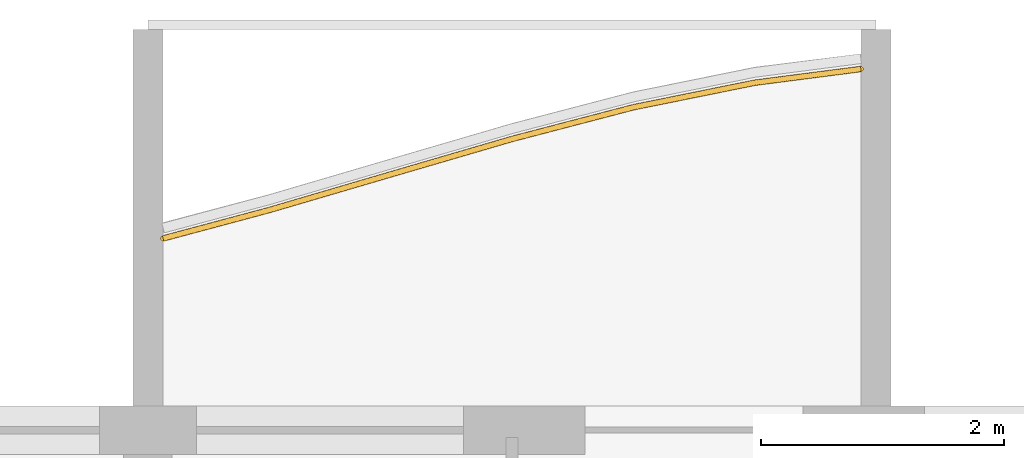
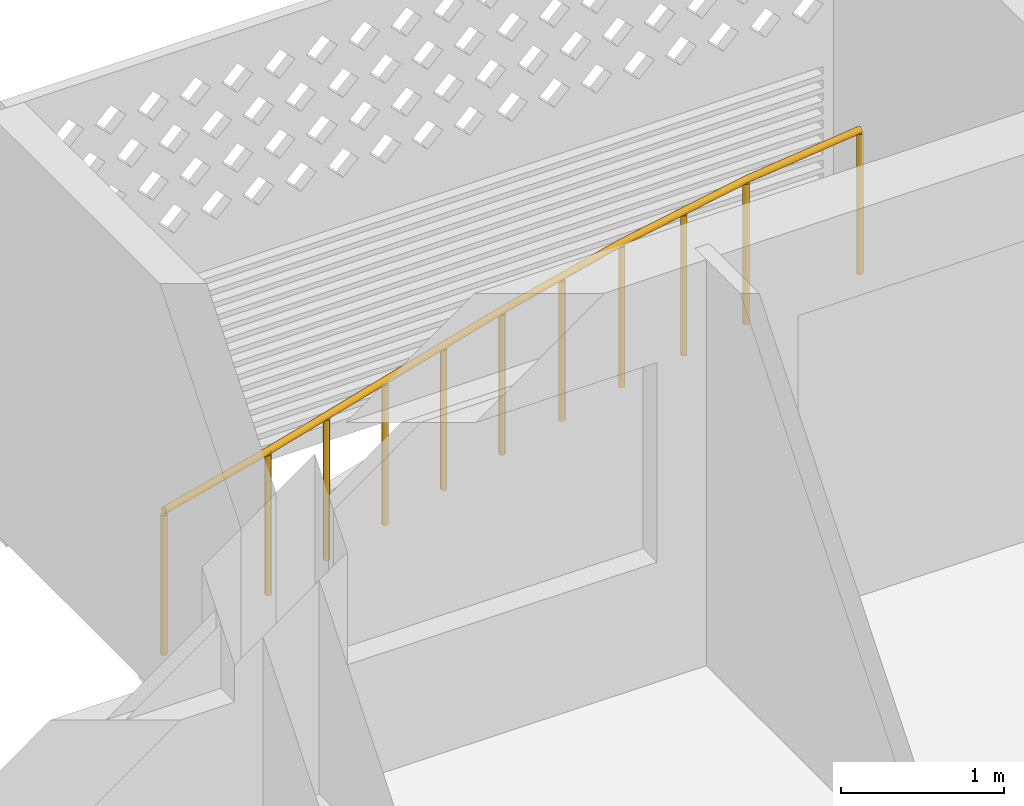
# One storey, part 24 of 38: 1 railing.
"""IFC4 building model written with IfcOpenShell, lengths in metres."""

from ifc_helpers import new_model, si_unit, direction, frame, origin, origin_2d, place, context, subcontext, project, spatial, circle, extrude, material, type_object, element, save


model = new_model("IFC4")

# Units and contexts
model_context = context("Model", 3, precision=1e-05, world=origin(), true_north=direction((0.0, 1.0)))
body_context = subcontext(model_context, "Body", "Model", "MODEL_VIEW")
ifc_project = project(units=[si_unit("LENGTHUNIT", "METRE"), si_unit("AREAUNIT", "SQUARE_METRE"), si_unit("VOLUMEUNIT", "CUBIC_METRE"), si_unit("PLANEANGLEUNIT", "RADIAN"), si_unit("MASSUNIT", "GRAM", prefix="KILO")], contexts=[model_context])

# Site, building, storey
site_placement = place(None, origin())
site = spatial("IfcSite", under=ifc_project, at=site_placement, CompositionType="ELEMENT")
building_placement = place(site_placement, origin())
building = spatial("IfcBuilding", under=site, at=building_placement, Name="Poui Terraces", CompositionType="ELEMENT")
storey_placement = place(building_placement, frame((0.0, 0.0, 46.5)))
storey = spatial("IfcBuildingStorey", under=building, at=storey_placement, Name="L12", CompositionType="ELEMENT", Elevation=46.5)

# Railing
ifc_material = material(Name="Painted steel fretwork", Category="steel")
railing_type = type_object("IfcRailingType", Name="BALCONY GUARD 1100", PredefinedType="GUARDRAIL", material=ifc_material)
railing_placement = place(storey_placement, frame((30.125, 46.3798828125, 0.0)))
element("IfcRailing", 1, at=railing_placement, inside=storey, type_object=railing_type, Name="BALCONY GUARD", PredefinedType="GUARDRAIL", context=body_context, shape_type="SweptSolid", body=[
    extrude(circle(Radius=0.02392578125, at=origin_2d()), frame((0.0, 0.0, 1.076171875), z_axis=(0.966015382601, 0.258484584798, 0.0), x_axis=(-0.258484584798, 0.966015382601, 0.0)), (0.0, 0.0, 1.0), 0.90576171875),
    extrude(circle(Radius=0.02392578125, at=origin_2d()), frame((0.875, 0.234130859375, 1.076171875), z_axis=(0.959536917318, 0.281582855131, 0.0), x_axis=(-0.281582855131, 0.959536917318, 0.0)), (0.0, 0.0, 1.0), 1.042236328125),
    extrude(circle(Radius=0.02392578125, at=origin_2d()), frame((1.875, 0.527587890625, 1.076171875), z_axis=(0.959852890267, 0.280503884192, 0.0), x_axis=(-0.280503884192, 0.959852890267, 0.0)), (0.0, 0.0, 1.0), 1.041748046875),
    extrude(circle(Radius=0.02392578125, at=origin_2d()), frame((2.875, 0.81982421875, 1.076171875), z_axis=(0.967589671846, 0.252527675587, 0.0), x_axis=(-0.252527675587, 0.967589671846, 0.0)), (0.0, 0.0, 1.0), 1.033447265625),
    extrude(circle(Radius=0.02392578125, at=origin_2d()), frame((3.875, 1.080810546875, 1.076171875), z_axis=(0.980127115756, 0.198370453848, 0.0), x_axis=(-0.198370453848, 0.980127115756, 0.0)), (0.0, 0.0, 1.0), 1.020263671875),
    extrude(circle(Radius=0.02392578125, at=origin_2d()), frame((4.875, 1.283203125, 1.076171875), z_axis=(0.991758595578, 0.128120599819, 0.0), x_axis=(-0.128120599819, 0.991758595578, 0.0)), (0.0, 0.0, 1.0), 0.88232421875),
    extrude(circle(Radius=0.02099609375, at=origin_2d()), origin(), (0.0, 0.0, 1.0), 1.052001953125),
    extrude(circle(Radius=0.02099609375, at=origin_2d()), frame((0.875, 0.234130859375, 0.0)), (0.0, 0.0, 1.0), 1.052001953125),
    extrude(circle(Radius=0.02099609375, at=origin_2d()), frame((1.375, 0.380859375, 0.0)), (0.0, 0.0, 1.0), 1.052001953125),
    extrude(circle(Radius=0.02099609375, at=origin_2d()), frame((1.875, 0.527587890625, 0.0)), (0.0, 0.0, 1.0), 1.052001953125),
    extrude(circle(Radius=0.02099609375, at=origin_2d()), frame((2.375, 0.673828125, 0.0)), (0.0, 0.0, 1.0), 1.052001953125),
    extrude(circle(Radius=0.02099609375, at=origin_2d()), frame((2.875, 0.81982421875, 0.0)), (0.0, 0.0, 1.0), 1.052001953125),
    extrude(circle(Radius=0.02099609375, at=origin_2d()), frame((3.375, 0.9501953125, 0.0)), (0.0, 0.0, 1.0), 1.052001953125),
    extrude(circle(Radius=0.02099609375, at=origin_2d()), frame((3.875, 1.080810546875, 0.0)), (0.0, 0.0, 1.0), 1.052001953125),
    extrude(circle(Radius=0.02099609375, at=origin_2d()), frame((4.375, 1.18212890625, 0.0)), (0.0, 0.0, 1.0), 1.052001953125),
    extrude(circle(Radius=0.02099609375, at=origin_2d()), frame((4.875, 1.283203125, 0.0)), (0.0, 0.0, 1.0), 1.052001953125),
    extrude(circle(Radius=0.02099609375, at=origin_2d()), frame((5.75, 1.396240234375, 0.0)), (0.0, 0.0, 1.0), 1.052001953125),
])

save(model, "model.ifc")
